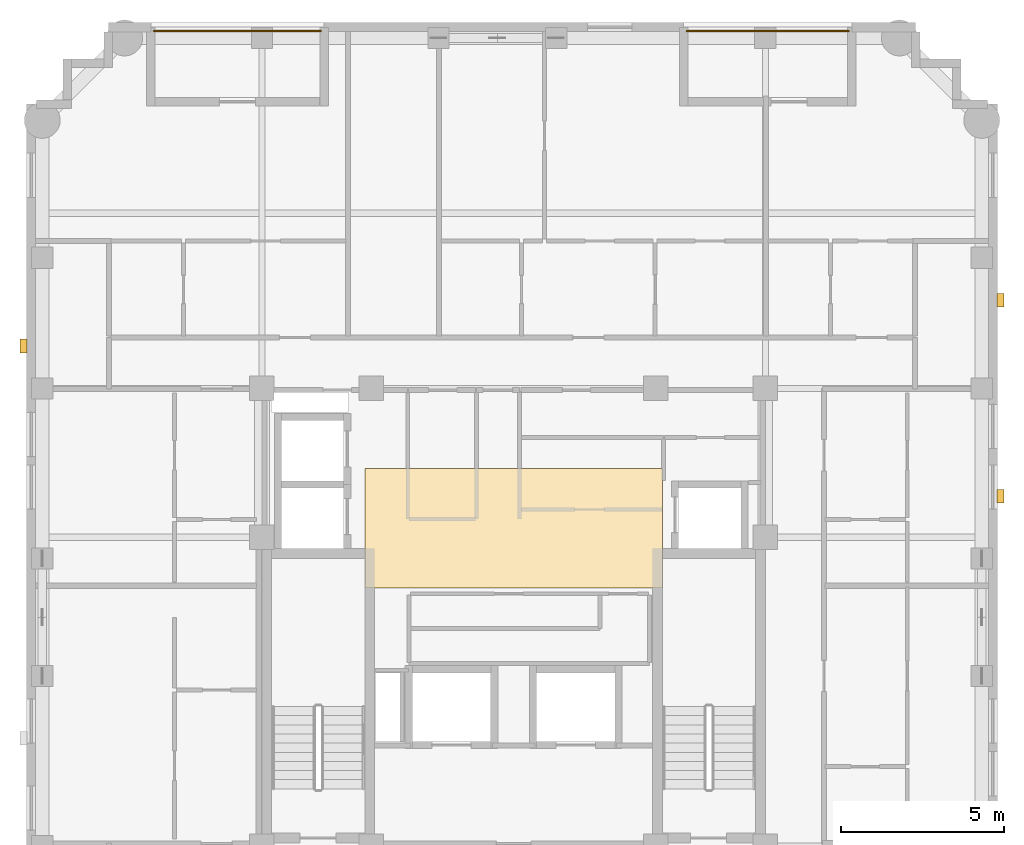
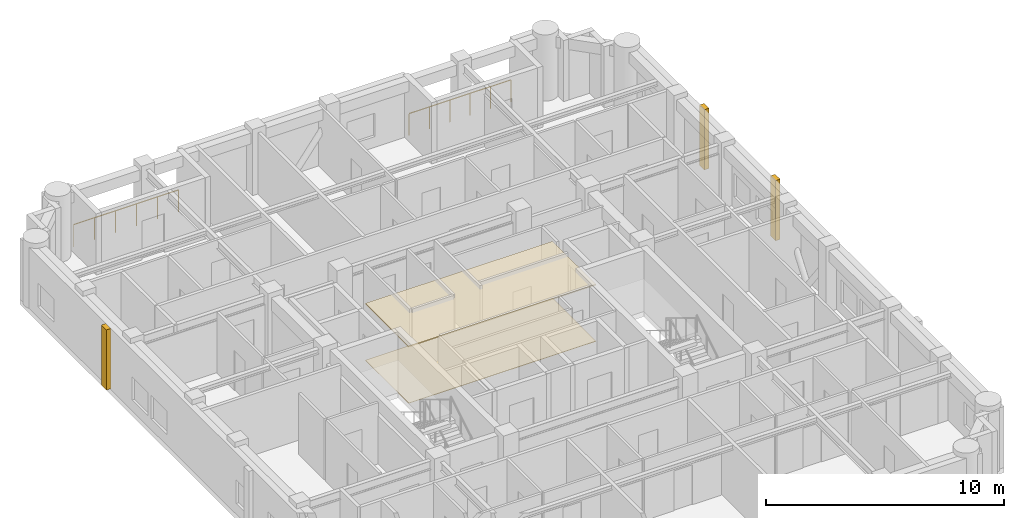
# One storey, part 10 of 10: 5 coverings, 2 railings.
"""IFC4 building model written with IfcOpenShell, lengths in metres."""

from ifc_helpers import new_model, si_unit, derived_unit, direction, frame, origin, origin_2d, place, context, subcontext, project, spatial, polyline, rectangle, circle, outline, extrude, material, layer, layer_set, type_object, element, save


model = new_model("IFC4")

# Units and contexts
model_context = context("Model", 3, precision=1e-05, world=origin(), true_north=direction((0.0, 1.0)))
body_context = subcontext(model_context, "Body", "Model", "MODEL_VIEW")
ifc_project = project(units=[si_unit("LENGTHUNIT", "METRE"), si_unit("AREAUNIT", "SQUARE_METRE"), si_unit("VOLUMEUNIT", "CUBIC_METRE"), si_unit("PLANEANGLEUNIT", "RADIAN"), si_unit("MASSUNIT", "GRAM", prefix="KILO"), derived_unit("THERMALTRANSMITTANCEUNIT", [(si_unit("MASSUNIT", "GRAM", prefix="KILO"), 1), (si_unit("TIMEUNIT", "SECOND"), -3), (si_unit("THERMODYNAMICTEMPERATUREUNIT", "KELVIN"), -1)])], contexts=[model_context])

# Site, building, storey
site_placement = place(None, origin())
site = spatial("IfcSite", under=ifc_project, at=site_placement, CompositionType="ELEMENT")
building_placement = place(site_placement, origin())
building = spatial("IfcBuilding", under=site, at=building_placement, Name="Korrvale Station Residences", CompositionType="ELEMENT")
storey_placement = place(building_placement, frame((0.0, 0.0, 237.699951171875)))
storey = spatial("IfcBuildingStorey", under=building, at=storey_placement, Name="L69", CompositionType="ELEMENT", Elevation=237.699951171875)

# Coverings
ifc_material_1 = material(Name="Perforated acoustic mineral-fibre suspended ceiling", Category="gypsum")
ifc_layer_1 = layer(ifc_material_1, 0.050048828125, Name="Perforated acoustic mineral-fibre suspended ceiling")
ifc_layer_set_1 = layer_set([ifc_layer_1], Name="Perforated acoustic mineral-fibre suspended ceiling")
covering_type_1 = type_object("IfcCoveringType", Name="COV-CLG-AC60", PredefinedType="CEILING", material=ifc_layer_set_1)
covering_1_placement = place(storey_placement, frame((0.0, 0.0, 2.89013671875)))
element("IfcCovering", 1, at=covering_1_placement, inside=storey, type_object=covering_type_1, Name="L69 Elevator Lobby Acoustic Ceiling", PredefinedType="CEILING", context=body_context, shape_type="SweptSolid", body=[
    extrude(outline(polyline([(20.949951171875, 22.89990234375), (30.050048828125, 22.89990234375), (30.050048828125, 26.550048828125), (20.949951171875, 26.550048828125), (20.949951171875, 22.89990234375)])), origin(), (0.0, 0.0, 1.0), 0.0498046875),
])
ifc_material_2 = material(Name="Polished quartz-terrazzo lobby flooring", Category="masonry")
ifc_layer_2 = layer(ifc_material_2, 0.02001953125, Name="Polished quartz-terrazzo lobby flooring")
ifc_layer_set_2 = layer_set([ifc_layer_2], Name="Polished quartz-terrazzo lobby flooring")
covering_type_2 = type_object("IfcCoveringType", Name="COV-FLR-TER20", PredefinedType="FLOORING", material=ifc_layer_set_2)
covering_2_placement = place(storey_placement, origin())
element("IfcCovering", 2, at=covering_2_placement, inside=storey, type_object=covering_type_2, Name="L69 Elevator Lobby Terrazzo Flooring", PredefinedType="FLOORING", context=body_context, shape_type="SweptSolid", body=[
    extrude(outline(polyline([(20.949951171875, 22.89990234375), (30.050048828125, 22.89990234375), (30.050048828125, 26.550048828125), (20.949951171875, 26.550048828125), (20.949951171875, 22.89990234375)])), origin(), (0.0, 0.0, 1.0), 0.02001953125),
])
ifc_material_3 = material(Name="Architectural precast concrete C45/55", Category="concrete")
ifc_layer_3 = layer(ifc_material_3, 0.219970703125, Name="Architectural precast concrete C45/55")
ifc_layer_set_3 = layer_set([ifc_layer_3], Name="Architectural precast concrete C45/55")
covering_type_3 = type_object("IfcCoveringType", Name="COV-PIER-400", PredefinedType="CLADDING", material=ifc_layer_set_3)
for number, where, z_axis, x_axis, name in (
    (3, (10.510009765625, 30.300048828125, 0.02490234375), (0.0, 0.0, 1.0), (0.0, 1.0, 0.0), "L69 Architectural Precast Facade Pier 04"),
    (4, (40.389892578125, 31.699951171875, 0.02490234375), (0.0, 0.0, 1.0), (0.0, 1.0, 0.0), "L69 Architectural Precast Facade Pier 05"),
    (5, (40.389892578125, 25.699951171875, 0.02490234375), (0.0, 0.0, 1.0), (0.0, 1.0, 0.0), "L69 Architectural Precast Facade Pier 06"),
):
    element("IfcCovering", number, at=place(storey_placement, frame(where, z_axis=z_axis, x_axis=x_axis)), inside=storey, type_object=covering_type_3, Name=name, PredefinedType="CLADDING", context=body_context, shape_type="SweptSolid", body=[
        extrude(rectangle(XDim=0.419921875, YDim=0.219970703125, at=origin_2d()), origin(), (0.0, 0.0, 1.0), 3.090087890625),
    ])

# Railings
ifc_material_4 = material(Name="Powder-coated aluminium picket loggia guard", Category="aluminium")
railing_type = type_object("IfcRailingType", Name="RLG-BAL-1150", PredefinedType="GUARDRAIL", material=ifc_material_4)
railing_1_placement = place(storey_placement, frame((14.5, 39.929931640625, 0.0)))
element("IfcRailing", 6, at=railing_1_placement, inside=storey, type_object=railing_type, Name="L69 Recessed Loggia Guardrail BAL-L69-N2", PredefinedType="GUARDRAIL", context=body_context, shape_type="SweptSolid", body=[
    extrude(circle(Radius=0.02392578125, at=origin_2d()), frame((0.0, 0.0, 1.1259765625), z_axis=(1.0, 0.0, 0.0), x_axis=(0.0, 1.0, 0.0)), (0.0, 0.0, 1.0), 5.10009765625),
    extrude(circle(Radius=0.02099609375, at=origin_2d()), origin(), (0.0, 0.0, 1.0), 1.101806640625),
    extrude(circle(Radius=0.02099609375, at=origin_2d()), frame((1.02001953125, 0.0, 0.0)), (0.0, 0.0, 1.0), 1.101806640625),
    extrude(circle(Radius=0.02099609375, at=origin_2d()), frame((2.0400390625, 0.0, 0.0)), (0.0, 0.0, 1.0), 1.101806640625),
    extrude(circle(Radius=0.02099609375, at=origin_2d()), frame((3.06005859375, 0.0, 0.0)), (0.0, 0.0, 1.0), 1.101806640625),
    extrude(circle(Radius=0.02099609375, at=origin_2d()), frame((4.080078125, 0.0, 0.0)), (0.0, 0.0, 1.0), 1.101806640625),
    extrude(circle(Radius=0.02099609375, at=origin_2d()), frame((5.10009765625, 0.0, 0.0)), (0.0, 0.0, 1.0), 1.101806640625),
])
railing_2_placement = place(storey_placement, frame((30.800048828125, 39.929931640625, 0.0)))
element("IfcRailing", 7, at=railing_2_placement, inside=storey, type_object=railing_type, Name="L69 Recessed Loggia Guardrail BAL-L69-N1", PredefinedType="GUARDRAIL", context=body_context, shape_type="SweptSolid", body=[
    extrude(circle(Radius=0.02392578125, at=origin_2d()), frame((0.0, 0.0, 1.1259765625), z_axis=(1.0, 0.0, 0.0), x_axis=(0.0, 1.0, 0.0)), (0.0, 0.0, 1.0), 4.949951171875),
    extrude(circle(Radius=0.02099609375, at=origin_2d()), origin(), (0.0, 0.0, 1.0), 1.101806640625),
    extrude(circle(Radius=0.02099609375, at=origin_2d()), frame((0.989990234375, 0.0, 0.0)), (0.0, 0.0, 1.0), 1.101806640625),
    extrude(circle(Radius=0.02099609375, at=origin_2d()), frame((1.97998046875, 0.0, 0.0)), (0.0, 0.0, 1.0), 1.101806640625),
    extrude(circle(Radius=0.02099609375, at=origin_2d()), frame((2.969970703125, 0.0, 0.0)), (0.0, 0.0, 1.0), 1.101806640625),
    extrude(circle(Radius=0.02099609375, at=origin_2d()), frame((3.9599609375, 0.0, 0.0)), (0.0, 0.0, 1.0), 1.101806640625),
    extrude(circle(Radius=0.02099609375, at=origin_2d()), frame((4.949951171875, 0.0, 0.0)), (0.0, 0.0, 1.0), 1.101806640625),
])

save(model, "model.ifc")
